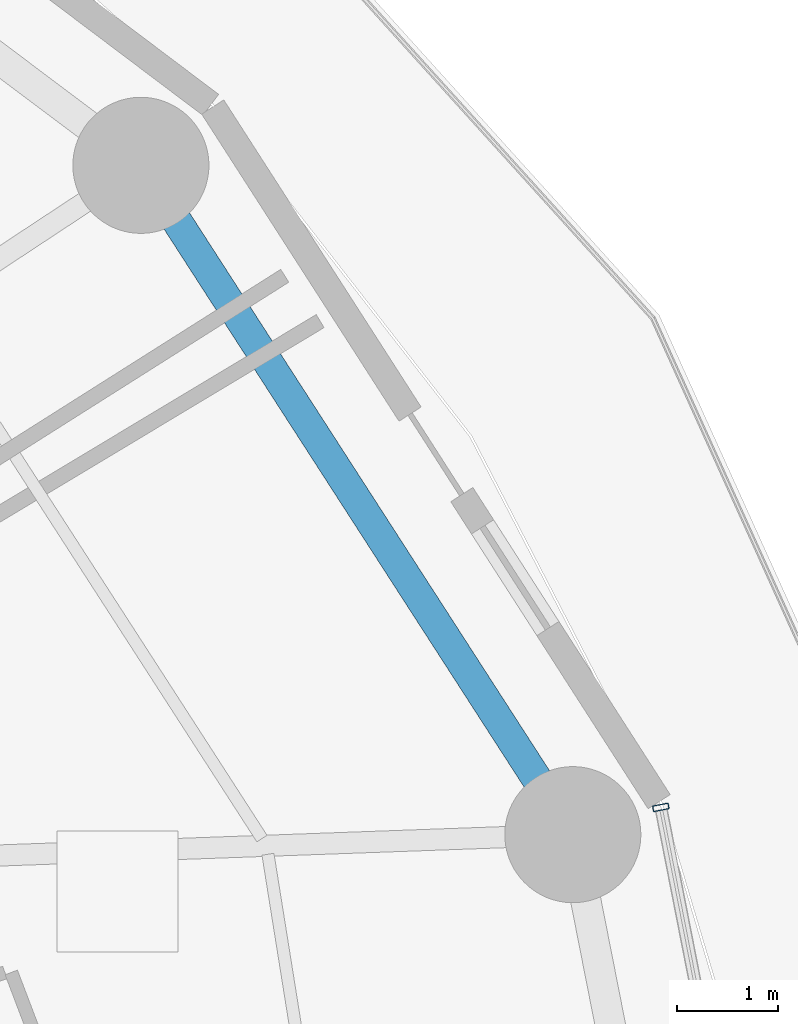
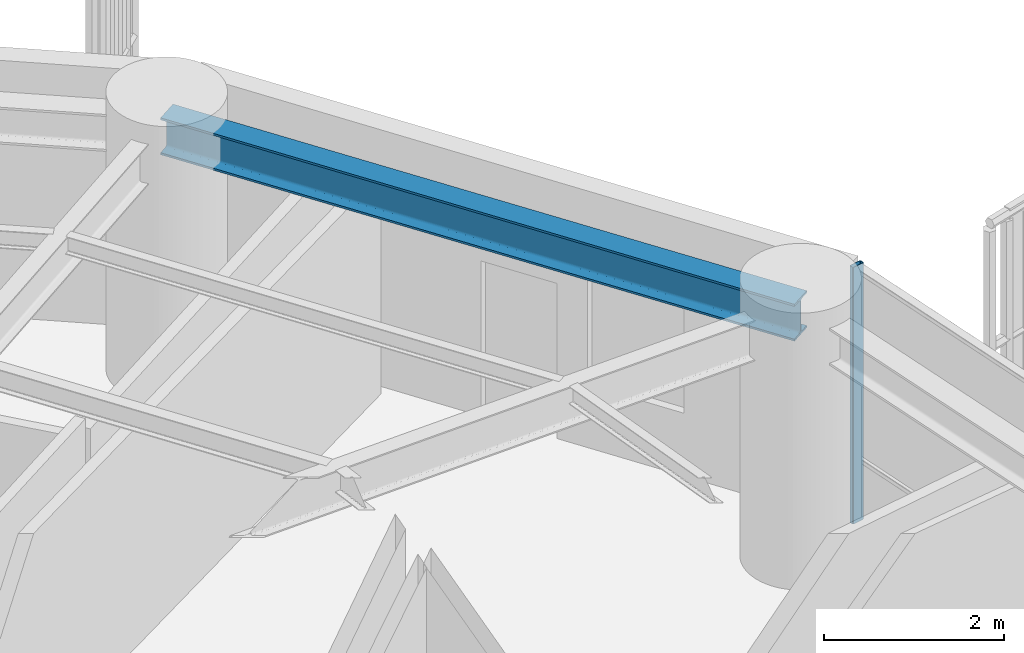
# One storey, part 23 of 33: 1 beam, 1 member, 1 element without a shape of its own.
"""IFC4 building model written with IfcOpenShell, lengths in metres."""

from ifc_helpers import new_model, si_unit, direction, frame, origin, origin_2d, place, context, subcontext, project, spatial, hollow_rectangle, i_section, extrude, material, layer, layer_set, material_profile, profile_set, type_object, element, aggregate, save


model = new_model("IFC4")

# Units and contexts
model_context = context("Model", 3, precision=1e-05, world=origin(), true_north=direction((0.0, 1.0)))
body_context = subcontext(model_context, "Body", "Model", "MODEL_VIEW")
ifc_project = project(units=[si_unit("LENGTHUNIT", "METRE"), si_unit("AREAUNIT", "SQUARE_METRE"), si_unit("VOLUMEUNIT", "CUBIC_METRE"), si_unit("PLANEANGLEUNIT", "RADIAN"), si_unit("MASSUNIT", "GRAM", prefix="KILO")], contexts=[model_context])

# Site, building, storey
site_placement = place(None, origin())
site = spatial("IfcSite", under=ifc_project, at=site_placement, CompositionType="ELEMENT")
building_placement = place(site_placement, origin())
building = spatial("IfcBuilding", under=site, at=building_placement, Name="Kelanora Arch Commons", CompositionType="ELEMENT")
storey_placement = place(building_placement, frame((0.0, 0.0, 80.10009765625)))
storey = spatial("IfcBuildingStorey", under=building, at=storey_placement, Name="L20", CompositionType="ELEMENT", Elevation=80.10009765625)

# Beam
ifc_material_1 = material(Name="Steel S355", Category="steel")
ifc_material_profile_1 = material_profile(ifc_material_1, i_section(OverallWidth=0.300048828125, OverallDepth=0.5, WebThickness=0.014404296875, FlangeThickness=0.028076171875, FilletRadius=0.027099609375, at=origin_2d()), Name="HEB500")
ifc_profile_set_1 = profile_set([ifc_material_profile_1], Name="Steel S355")
beam_type = type_object("IfcBeamType", Name="BM-SPN-Z2", PredefinedType="SPANDREL", material=ifc_profile_set_1)
beam_placement = place(storey_placement, frame((97.191650390625, 65.5517578125, 3.239990234375), z_axis=(-0.542221144054, 0.840235818649, 0.0), x_axis=(-0.840235818649, -0.542221144054, 0.0)))
element("IfcBeam", 1, at=beam_placement, inside=storey, type_object=beam_type, Name="Perimeter Spandrel Beam BS-02 L20", PredefinedType="SPANDREL", context=body_context, shape_type="SweptSolid", body=[
    extrude(i_section(OverallWidth=0.300048828125, OverallDepth=0.5, WebThickness=0.014404296875, FlangeThickness=0.028076171875, FilletRadius=0.027099609375, at=origin_2d()), origin(), (0.0, 0.0, 1.0), 7.90380859375),
])

# Curtain wall, member
ifc_material_2 = material(Name="Terracotta ceramic-fritted low-E glass and aluminium", Category="masonry")
ifc_layer = layer(ifc_material_2, 0.159912109375)
ifc_layer_set = layer_set([ifc_layer], Name="Terracotta ceramic-fritted low-E glass and aluminium")
curtain_wall_type = type_object("IfcCurtainWallType", Name="CW-SYS-01", PredefinedType="NOTDEFINED", material=ifc_layer_set)
curtain_wall_placement = place(storey_placement, origin())
curtain_wall = element("IfcCurtainWall", 2, at=curtain_wall_placement, inside=storey, type_object=curtain_wall_type, Name="Unitised Curtain Wall L20-B00", PredefinedType="NOTDEFINED")
ifc_material_3 = material(Name="Powder-coated aluminium terracotta", Category="masonry")
ifc_material_profile_2 = material_profile(ifc_material_3, hollow_rectangle(XDim=0.159912109375, YDim=0.06005859375, WallThickness=0.0048828125, InnerFilletRadius=0.0048828125, OuterFilletRadius=0.010009765625, at=origin_2d()), Name="CWM160x60")
ifc_profile_set_2 = profile_set([ifc_material_profile_2], Name="Powder-coated aluminium terracotta")
member_type = type_object("IfcMemberType", Name="CWM-STD", PredefinedType="MULLION", material=ifc_profile_set_2)
member_placement = place(storey_placement, frame((98.064697265625, 65.822265625, 0.0), z_axis=(0.0, 0.0, 1.0), x_axis=(-0.981280311646, -0.192584916272, 0.0)))
member = element("IfcMember", 3, at=member_placement, type_object=member_type, Name="CW-01 mullion 3", PredefinedType="MULLION", context=body_context, shape_type="SweptSolid", body=[
    extrude(hollow_rectangle(XDim=0.159912109375, YDim=0.06005859375, WallThickness=0.0048828125, InnerFilletRadius=0.0048828125, OuterFilletRadius=0.010009765625, at=origin_2d()), origin(), (0.0, 0.0, 1.0), 3.474853515625),
])
aggregate(curtain_wall, [member])

save(model, "model.ifc")
